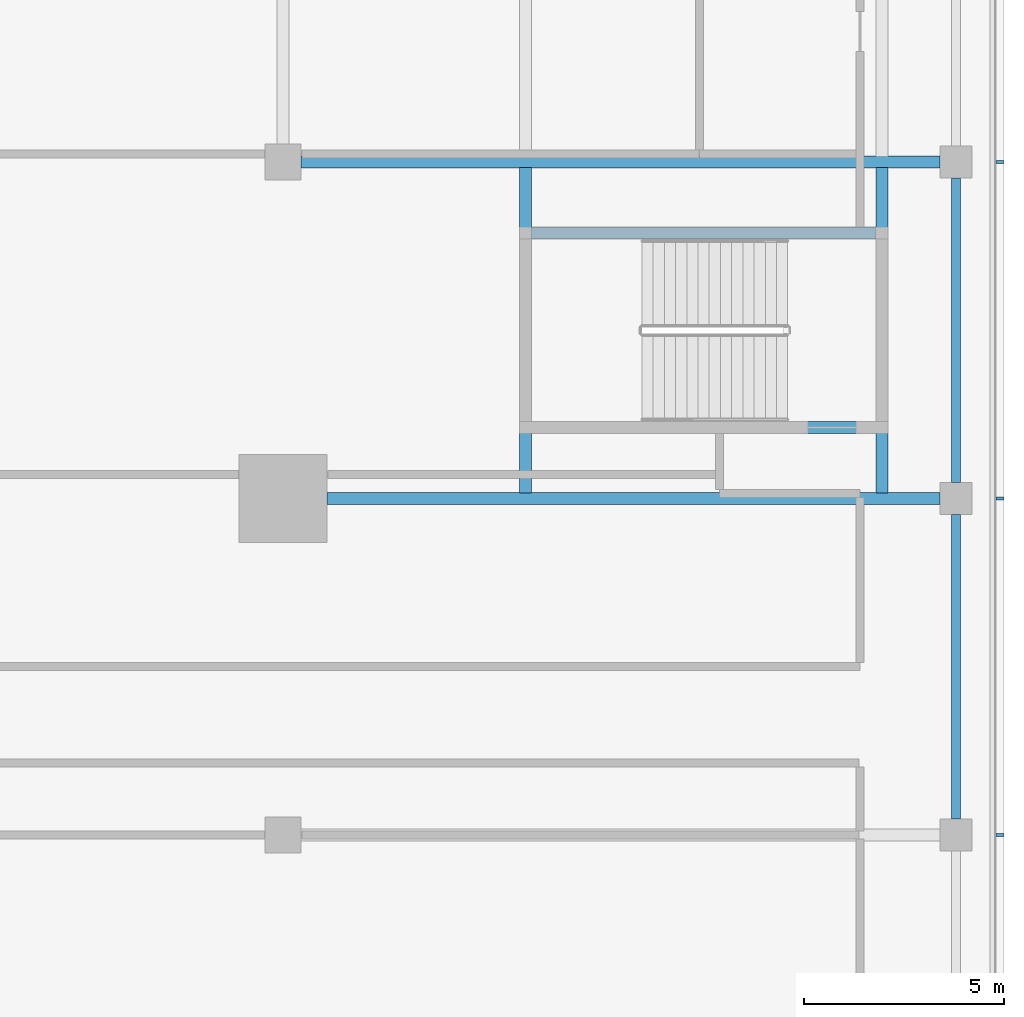
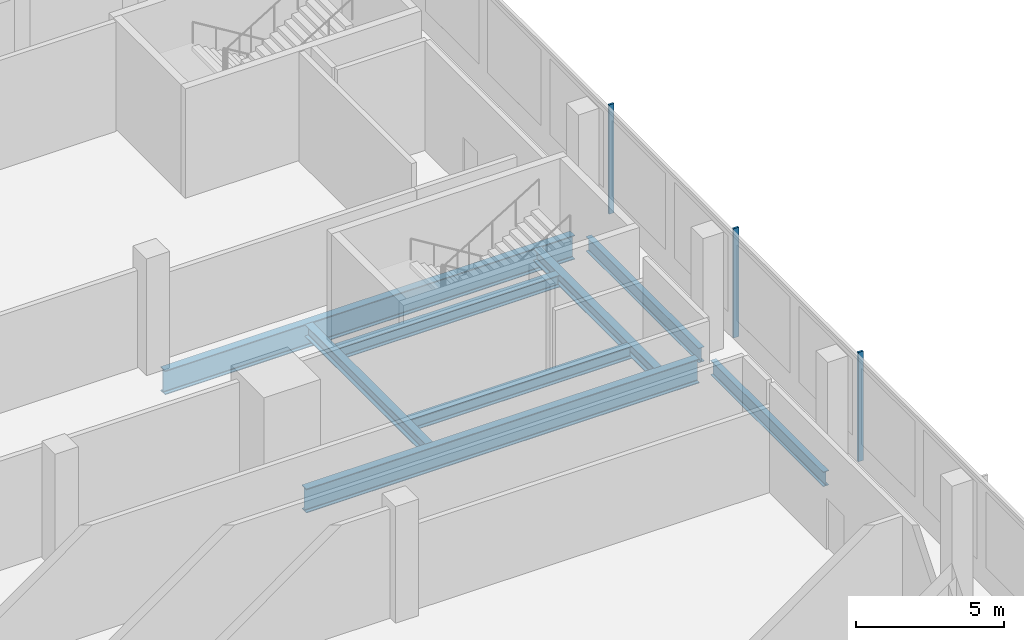
# One storey, part 16 of 39: 8 beams, 3 members, 1 element without a shape of its own.
"""IFC4 building model written with IfcOpenShell, lengths in metres."""

from ifc_helpers import new_model, si_unit, direction, frame, origin, origin_2d, place, context, subcontext, project, spatial, rectangle, i_section, extrude, material, material_profile, profile_set, type_object, element, aggregate, save


model = new_model("IFC4")

# Units and contexts
model_context = context("Model", 3, precision=1e-05, world=origin(), true_north=direction((0.0, 1.0)))
body_context = subcontext(model_context, "Body", "Model", "MODEL_VIEW")
ifc_project = project(units=[si_unit("LENGTHUNIT", "METRE"), si_unit("AREAUNIT", "SQUARE_METRE"), si_unit("VOLUMEUNIT", "CUBIC_METRE"), si_unit("PLANEANGLEUNIT", "RADIAN"), si_unit("MASSUNIT", "GRAM", prefix="KILO")], contexts=[model_context])

# Site, building, storey
site_placement = place(None, origin())
site = spatial("IfcSite", under=ifc_project, at=site_placement, CompositionType="ELEMENT")
building_placement = place(site_placement, origin())
building = spatial("IfcBuilding", under=site, at=building_placement, Name="Saffron Gate Tower", CompositionType="ELEMENT")
storey_placement = place(building_placement, frame((0.0, 0.0, 14.39990234375)))
storey = spatial("IfcBuildingStorey", under=building, at=storey_placement, Name="L02", CompositionType="ELEMENT", Elevation=14.39990234375)

# Beams
ifc_material_1 = material(Name="Structural steel S355", Category="steel")
ifc_material_profile_1 = material_profile(ifc_material_1, i_section(OverallWidth=0.219970703125, OverallDepth=0.60009765625, WebThickness=0.011962890625, FlangeThickness=0.01904296875, FilletRadius=0.02392578125, at=origin_2d()))
ifc_profile_set_1 = profile_set([ifc_material_profile_1], Name="Structural steel S355")
beam_type_1 = type_object("IfcBeamType", Name="B15 IPE 600", PredefinedType="BEAM", material=ifc_profile_set_1)
beam_1_placement = place(storey_placement, frame((142.199951171875, 57.39990234375, -0.599853515625), z_axis=(0.0, 1.0, 0.0), x_axis=(-1.0, 0.0, 0.0)))
element("IfcBeam", 1, at=beam_1_placement, inside=storey, type_object=beam_type_1, Name="B15 PODIUM EDGE BEAM", PredefinedType="BEAM", context=body_context, shape_type="SweptSolid", body=[
    extrude(i_section(OverallWidth=0.219970703125, OverallDepth=0.60009765625, WebThickness=0.011962890625, FlangeThickness=0.01904296875, FilletRadius=0.02392578125, at=origin_2d()), origin(), (0.0, 0.0, 1.0), 7.60009765625),
])
beam_2_placement = place(storey_placement, frame((142.199951171875, 65.800048828125, -0.599853515625), z_axis=(0.0, 1.0, 0.0), x_axis=(-1.0, 0.0, 0.0)))
element("IfcBeam", 2, at=beam_2_placement, inside=storey, type_object=beam_type_1, Name="B15 PODIUM EDGE BEAM", PredefinedType="BEAM", context=body_context, shape_type="SweptSolid", body=[
    extrude(i_section(OverallWidth=0.219970703125, OverallDepth=0.60009765625, WebThickness=0.011962890625, FlangeThickness=0.01904296875, FilletRadius=0.02392578125, at=origin_2d()), origin(), (0.0, 0.0, 1.0), 7.599853515625),
])
ifc_material_profile_2 = material_profile(ifc_material_1, i_section(OverallWidth=0.300048828125, OverallDepth=0.989990234375, WebThickness=0.0166015625, FlangeThickness=0.031005859375, FilletRadius=0.030029296875, at=origin_2d()))
ifc_profile_set_2 = profile_set([ifc_material_profile_2], Name="Structural steel S355")
beam_type_2 = type_object("IfcBeamType", Name="B21 HEA 1000", PredefinedType="BEAM", material=ifc_profile_set_2)
beam_3_placement = place(storey_placement, frame((141.800048828125, 65.39990234375, -0.794921875), z_axis=(-1.0, 0.0, 0.0), x_axis=(0.0, -1.0, 0.0)))
element("IfcBeam", 3, at=beam_3_placement, inside=storey, type_object=beam_type_2, Name="B21 PODIUM RING GIRDER", PredefinedType="BEAM", context=body_context, shape_type="SweptSolid", body=[
    extrude(i_section(OverallWidth=0.300048828125, OverallDepth=0.989990234375, WebThickness=0.0166015625, FlangeThickness=0.031005859375, FilletRadius=0.030029296875, at=origin_2d()), origin(), (0.0, 0.0, 1.0), 15.300048828125),
])
beam_4_placement = place(storey_placement, frame((141.800048828125, 73.800048828125, -0.794921875), z_axis=(-1.0, 0.0, 0.0), x_axis=(0.0, -1.0, 0.0)))
element("IfcBeam", 4, at=beam_4_placement, inside=storey, type_object=beam_type_2, Name="B21 PODIUM RING GIRDER", PredefinedType="BEAM", context=body_context, shape_type="SweptSolid", body=[
    extrude(i_section(OverallWidth=0.300048828125, OverallDepth=0.989990234375, WebThickness=0.0166015625, FlangeThickness=0.031005859375, FilletRadius=0.030029296875, at=origin_2d()), origin(), (0.0, 0.0, 1.0), 15.949951171875),
])
ifc_material_profile_3 = material_profile(ifc_material_1, i_section(OverallWidth=0.300048828125, OverallDepth=0.5, WebThickness=0.014404296875, FlangeThickness=0.028076171875, FilletRadius=0.027099609375, at=origin_2d()))
ifc_profile_set_3 = profile_set([ifc_material_profile_3], Name="Structural steel S355")
beam_type_3 = type_object("IfcBeamType", Name="B9 HEB 500", PredefinedType="BEAM", material=ifc_profile_set_3)
for number, where, z_axis, x_axis, name in (
    (5, (131.449951171875, 65.5400390625, -0.5498046875), (0.0, 1.0, 0.0), (-1.0, 0.0, 0.0), "B9 STAIR ENCLOSURE HEADER BEAM"),
    (6, (140.35009765625, 65.5400390625, -0.5498046875), (0.0, 1.0, 0.0), (-1.0, 0.0, 0.0), "B9 STAIR ENCLOSURE HEADER BEAM"),
):
    element("IfcBeam", number, at=place(storey_placement, frame(where, z_axis=z_axis, x_axis=x_axis)), inside=storey, type_object=beam_type_3, Name=name, PredefinedType="BEAM", context=body_context, shape_type="SweptSolid", body=[
        extrude(i_section(OverallWidth=0.300048828125, OverallDepth=0.5, WebThickness=0.014404296875, FlangeThickness=0.028076171875, FilletRadius=0.027099609375, at=origin_2d()), origin(), (0.0, 0.0, 1.0), 8.119873046875),
    ])
for number, where, z_axis, x_axis, name in (
    (7, (131.590087890625, 67.175048828125, -0.5498046875), (1.0, 0.0, 0.0), (0.0, 1.0, 0.0), "B9 STAIR ENCLOSURE TRIMMER BEAM"),
    (8, (131.590087890625, 72.02490234375, -0.5498046875), (1.0, 0.0, 0.0), (0.0, 1.0, 0.0), "B9 STAIR ENCLOSURE TRIMMER BEAM"),
):
    element("IfcBeam", number, at=place(storey_placement, frame(where, z_axis=z_axis, x_axis=x_axis)), inside=storey, type_object=beam_type_3, Name=name, PredefinedType="BEAM", context=body_context, shape_type="SweptSolid", body=[
        extrude(i_section(OverallWidth=0.300048828125, OverallDepth=0.5, WebThickness=0.014404296875, FlangeThickness=0.028076171875, FilletRadius=0.027099609375, at=origin_2d()), origin(), (0.0, 0.0, 1.0), 8.619873046875),
    ])

# Curtain wall, members
ifc_material_2 = material(Name="Aluminium, bronze anodised", Category="aluminium")
curtain_wall_type = type_object("IfcCurtainWallType", Name="CWS5 curtain wall podium ring base", PredefinedType="NOTDEFINED", material=ifc_material_2)
curtain_wall_placement = place(storey_placement, origin())
curtain_wall = element("IfcCurtainWall", 9, at=curtain_wall_placement, inside=storey, type_object=curtain_wall_type, Name="CWS5 run 2", PredefinedType="NOTDEFINED")
ifc_material_profile_4 = material_profile(ifc_material_2, rectangle(XDim=0.199951171875, YDim=0.080078125, at=origin_2d()))
ifc_profile_set_4 = profile_set([ifc_material_profile_4], Name="Aluminium, bronze anodised")
member_type = type_object("IfcMemberType", Name="CWS5 mullion 80x200", PredefinedType="MULLION", material=ifc_profile_set_4)
member_1_placement = place(storey_placement, frame((143.300048828125, 57.0, 0.0), z_axis=(0.0, 0.0, 1.0), x_axis=(-1.0, 0.0, 0.0)))
member_1 = element("IfcMember", 10, at=member_1_placement, type_object=member_type, Name="CWS5 mullion 6", PredefinedType="MULLION", context=body_context, shape_type="SweptSolid", body=[
    extrude(rectangle(XDim=0.199951171875, YDim=0.080078125, at=origin_2d()), origin(), (0.0, 0.0, 1.0), 4.5),
])
member_2_placement = place(storey_placement, frame((143.300048828125, 65.39990234375, 0.0), z_axis=(0.0, 0.0, 1.0), x_axis=(-1.0, 0.0, 0.0)))
member_2 = element("IfcMember", 11, at=member_2_placement, type_object=member_type, Name="CWS5 mullion 7", PredefinedType="MULLION", context=body_context, shape_type="SweptSolid", body=[
    extrude(rectangle(XDim=0.199951171875, YDim=0.080078125, at=origin_2d()), origin(), (0.0, 0.0, 1.0), 4.5),
])
member_3_placement = place(storey_placement, frame((143.300048828125, 73.800048828125, 0.0), z_axis=(0.0, 0.0, 1.0), x_axis=(-1.0, 0.0, 0.0)))
member_3 = element("IfcMember", 12, at=member_3_placement, type_object=member_type, Name="CWS5 mullion 8", PredefinedType="MULLION", context=body_context, shape_type="SweptSolid", body=[
    extrude(rectangle(XDim=0.199951171875, YDim=0.080078125, at=origin_2d()), origin(), (0.0, 0.0, 1.0), 4.5),
])
aggregate(curtain_wall, [member_1, member_2, member_3])

save(model, "model.ifc")
